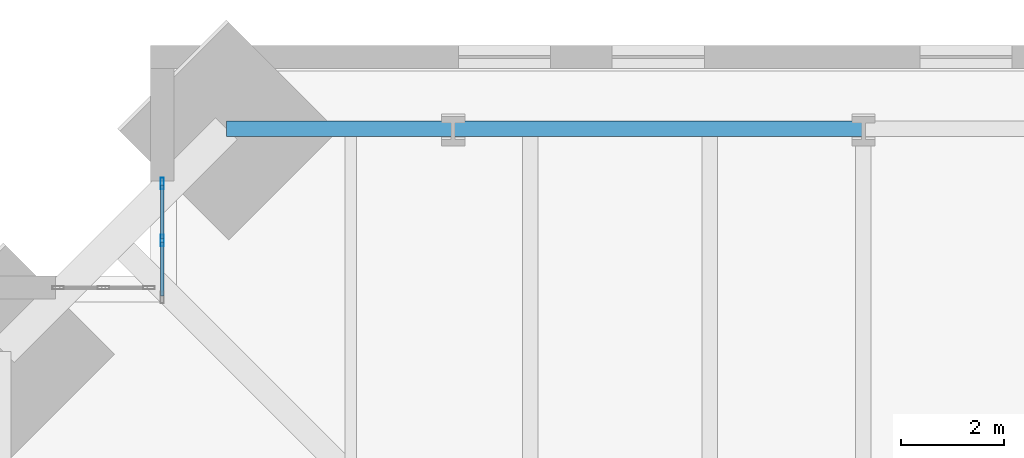
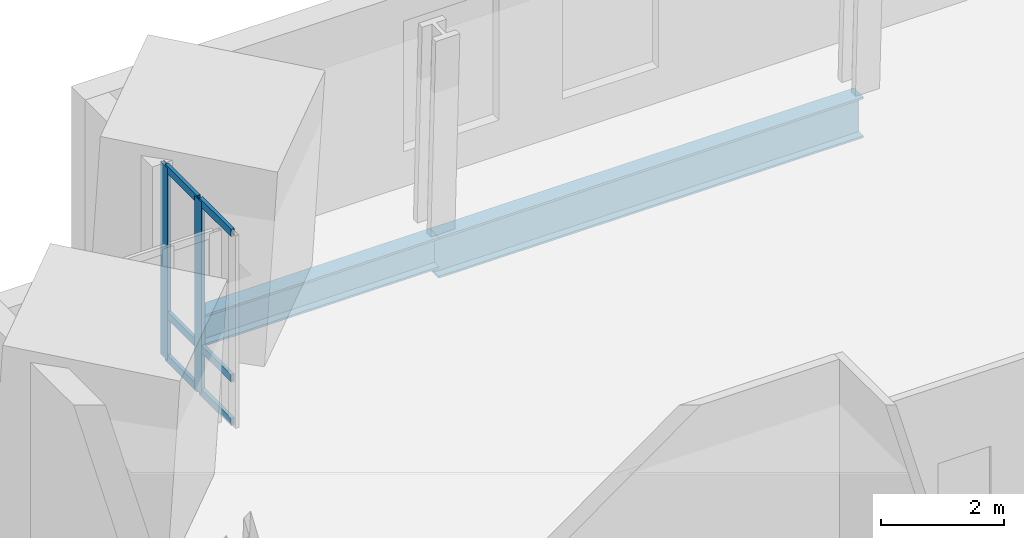
# One storey, part 8 of 18: 8 members, 2 beams, 1 element without a shape of its own.
"""IFC4 building model written with IfcOpenShell, lengths in metres."""

from ifc_helpers import new_model, si_unit, direction, frame, origin, origin_2d, place, context, subcontext, project, spatial, hollow_rectangle, i_section, extrude, material, material_profile, profile_set, type_object, element, aggregate, save


model = new_model("IFC4")

# Units and contexts
model_context = context("Model", 3, precision=1e-05, world=origin(), true_north=direction((0.0, 1.0)))
body_context = subcontext(model_context, "Body", "Model", "MODEL_VIEW")
ifc_project = project(units=[si_unit("LENGTHUNIT", "METRE"), si_unit("AREAUNIT", "SQUARE_METRE"), si_unit("VOLUMEUNIT", "CUBIC_METRE"), si_unit("PLANEANGLEUNIT", "RADIAN"), si_unit("MASSUNIT", "GRAM", prefix="KILO")], contexts=[model_context])

# Site, building, storey
site_placement = place(None, origin())
site = spatial("IfcSite", under=ifc_project, at=site_placement, CompositionType="ELEMENT")
building_placement = place(site_placement, origin())
building = spatial("IfcBuilding", under=site, at=building_placement, Name="Peilmerk Tower", CompositionType="ELEMENT")
storey_placement = place(building_placement, frame((0.0, 0.0, 151.800048828125)))
storey = spatial("IfcBuildingStorey", under=building, at=storey_placement, Name="L31", CompositionType="ELEMENT", Elevation=151.800048828125)

# Beams
ifc_material_1 = material(Name="Steel S355", Category="steel")
ifc_material_profile_1 = material_profile(ifc_material_1, i_section(OverallWidth=0.302978515625, OverallDepth=0.81396484375, WebThickness=0.02099609375, FlangeThickness=0.0400390625, at=origin_2d()), Name="HEM 800")
ifc_profile_set_1 = profile_set([ifc_material_profile_1], Name="Steel S355")
beam_type_1 = type_object("IfcBeamType", Name="B15 HEM 800 edge beam", PredefinedType="SPANDREL", material=ifc_profile_set_1)
beam_1_placement = place(storey_placement, frame((-8.0, 24.77587890625, -0.5771484375), z_axis=(-1.0, 0.0, 0.0), x_axis=(0.0, -1.0, 0.0)))
element("IfcBeam", 1, at=beam_1_placement, inside=storey, type_object=beam_type_1, Name="Edge beam L31", PredefinedType="SPANDREL", context=body_context, shape_type="SweptSolid", body=[
    extrude(i_section(OverallWidth=0.302978515625, OverallDepth=0.81396484375, WebThickness=0.02099609375, FlangeThickness=0.0400390625, at=origin_2d()), origin(), (0.0, 0.0, 1.0), 8.0),
])
ifc_material_profile_2 = material_profile(ifc_material_1, i_section(OverallWidth=0.304931640625, OverallDepth=0.6201171875, WebThickness=0.02099609375, FlangeThickness=0.0400390625, at=origin_2d()), Name="HEM 600")
ifc_profile_set_2 = profile_set([ifc_material_profile_2], Name="Steel S355")
beam_type_2 = type_object("IfcBeamType", Name="B31 HEM 600 edge beam", PredefinedType="SPANDREL", material=ifc_profile_set_2)
beam_2_placement = place(storey_placement, frame((-16.0, 24.77587890625, -0.47998046875), z_axis=(-1.0, 0.0, 0.0), x_axis=(0.0, -1.0, 0.0)))
element("IfcBeam", 2, at=beam_2_placement, inside=storey, type_object=beam_type_2, Name="Edge beam L31", PredefinedType="SPANDREL", context=body_context, shape_type="SweptSolid", body=[
    extrude(i_section(OverallWidth=0.304931640625, OverallDepth=0.6201171875, WebThickness=0.02099609375, FlangeThickness=0.0400390625, at=origin_2d()), origin(), (0.0, 0.0, 1.0), 4.42578125),
])

# Curtain wall, members
ifc_material_2 = material(Name="Aluminium stick curtain wall", Category="aluminium")
curtain_wall_type = type_object("IfcCurtainWallType", Name="CW3 stick curtain wall, 2250 module", PredefinedType="NOTDEFINED", material=ifc_material_2)
curtain_wall_placement = place(storey_placement, origin())
curtain_wall = element("IfcCurtainWall", 3, at=curtain_wall_placement, inside=storey, type_object=curtain_wall_type, Name="Curtain wall CW3 NWA L31", PredefinedType="NOTDEFINED")
ifc_material_3 = material(Name="Aluminium EN AW-6063 T6", Category="aluminium")
ifc_material_profile_3 = material_profile(ifc_material_3, hollow_rectangle(XDim=0.06494140625, YDim=0.22509765625, WallThickness=0.00390625, at=origin_2d()), Name="AL 225x65x4")
ifc_profile_set_3 = profile_set([ifc_material_profile_3], Name="Aluminium EN AW-6063 T6")
member_type_1 = type_object("IfcMemberType", Name="CW3-M AL 225x65x4 mullion", PredefinedType="MULLION", material=ifc_profile_set_3)
member_1_placement = place(storey_placement, frame((-21.675048828125, 22.59423828125, 0.0), z_axis=(0.0, 0.0, 1.0), x_axis=(-1.0, 0.0, 0.0)))
member_1 = element("IfcMember", 4, at=member_1_placement, type_object=member_type_1, Name="CW3 mullion 2", PredefinedType="MULLION", context=body_context, shape_type="SweptSolid", body=[
    extrude(hollow_rectangle(XDim=0.06494140625, YDim=0.22509765625, WallThickness=0.00390625, at=origin_2d()), origin(), (0.0, 0.0, 1.0), 3.829833984375),
])
member_2_placement = place(storey_placement, frame((-21.675048828125, 23.706298828125, 0.0), z_axis=(0.0, 0.0, 1.0), x_axis=(-1.0, 0.0, 0.0)))
member_2 = element("IfcMember", 5, at=member_2_placement, type_object=member_type_1, Name="CW3 mullion 3", PredefinedType="MULLION", context=body_context, shape_type="SweptSolid", body=[
    extrude(hollow_rectangle(XDim=0.06494140625, YDim=0.22509765625, WallThickness=0.00390625, at=origin_2d()), origin(), (0.0, 0.0, 1.0), 3.829833984375),
])
ifc_material_profile_4 = material_profile(ifc_material_3, hollow_rectangle(XDim=0.06494140625, YDim=0.14990234375, WallThickness=0.0029296875, at=origin_2d()), Name="AL 150x65x3")
ifc_profile_set_4 = profile_set([ifc_material_profile_4], Name="Aluminium EN AW-6063 T6")
member_type_2 = type_object("IfcMemberType", Name="CW3-T AL 150x65x3 transom", PredefinedType="USERDEFINED", material=ifc_profile_set_4)
member_3_placement = place(storey_placement, frame((-21.675048828125, 21.514892578125, 0.032470703125), z_axis=(0.0, 1.0, 0.0), x_axis=(-1.0, 0.0, 0.0)))
member_3 = element("IfcMember", 6, at=member_3_placement, type_object=member_type_2, Name="CW3 transom 1.1", ObjectType="TRANSOM", PredefinedType="USERDEFINED", context=body_context, shape_type="SweptSolid", body=[
    extrude(hollow_rectangle(XDim=0.06494140625, YDim=0.14990234375, WallThickness=0.0029296875, at=origin_2d()), origin(), (0.0, 0.0, 1.0), 1.046875),
])
member_4_placement = place(storey_placement, frame((-21.675048828125, 21.514892578125, 0.89990234375), z_axis=(0.0, 1.0, 0.0), x_axis=(-1.0, 0.0, 0.0)))
member_4 = element("IfcMember", 7, at=member_4_placement, type_object=member_type_2, Name="CW3 transom 1.2", ObjectType="TRANSOM", PredefinedType="USERDEFINED", context=body_context, shape_type="SweptSolid", body=[
    extrude(hollow_rectangle(XDim=0.06494140625, YDim=0.14990234375, WallThickness=0.0029296875, at=origin_2d()), origin(), (0.0, 0.0, 1.0), 1.046875),
])
member_5_placement = place(storey_placement, frame((-21.675048828125, 21.514892578125, 3.79736328125), z_axis=(0.0, 1.0, 0.0), x_axis=(-1.0, 0.0, 0.0)))
member_5 = element("IfcMember", 8, at=member_5_placement, type_object=member_type_2, Name="CW3 transom 1.3", ObjectType="TRANSOM", PredefinedType="USERDEFINED", context=body_context, shape_type="SweptSolid", body=[
    extrude(hollow_rectangle(XDim=0.06494140625, YDim=0.14990234375, WallThickness=0.0029296875, at=origin_2d()), origin(), (0.0, 0.0, 1.0), 1.046875),
])
member_6_placement = place(storey_placement, frame((-21.675048828125, 22.626953125, 0.032470703125), z_axis=(0.0, 1.0, 0.0), x_axis=(-1.0, 0.0, 0.0)))
member_6 = element("IfcMember", 9, at=member_6_placement, type_object=member_type_2, Name="CW3 transom 2.1", ObjectType="TRANSOM", PredefinedType="USERDEFINED", context=body_context, shape_type="SweptSolid", body=[
    extrude(hollow_rectangle(XDim=0.06494140625, YDim=0.14990234375, WallThickness=0.0029296875, at=origin_2d()), origin(), (0.0, 0.0, 1.0), 1.046630859375),
])
member_7_placement = place(storey_placement, frame((-21.675048828125, 22.626953125, 0.89990234375), z_axis=(0.0, 1.0, 0.0), x_axis=(-1.0, 0.0, 0.0)))
member_7 = element("IfcMember", 10, at=member_7_placement, type_object=member_type_2, Name="CW3 transom 2.2", ObjectType="TRANSOM", PredefinedType="USERDEFINED", context=body_context, shape_type="SweptSolid", body=[
    extrude(hollow_rectangle(XDim=0.06494140625, YDim=0.14990234375, WallThickness=0.0029296875, at=origin_2d()), origin(), (0.0, 0.0, 1.0), 1.046630859375),
])
member_8_placement = place(storey_placement, frame((-21.675048828125, 22.626953125, 3.79736328125), z_axis=(0.0, 1.0, 0.0), x_axis=(-1.0, 0.0, 0.0)))
member_8 = element("IfcMember", 11, at=member_8_placement, type_object=member_type_2, Name="CW3 transom 2.3", ObjectType="TRANSOM", PredefinedType="USERDEFINED", context=body_context, shape_type="SweptSolid", body=[
    extrude(hollow_rectangle(XDim=0.06494140625, YDim=0.14990234375, WallThickness=0.0029296875, at=origin_2d()), origin(), (0.0, 0.0, 1.0), 1.046630859375),
])
aggregate(curtain_wall, [member_1, member_2, member_3, member_4, member_5, member_6, member_7, member_8])

save(model, "model.ifc")
